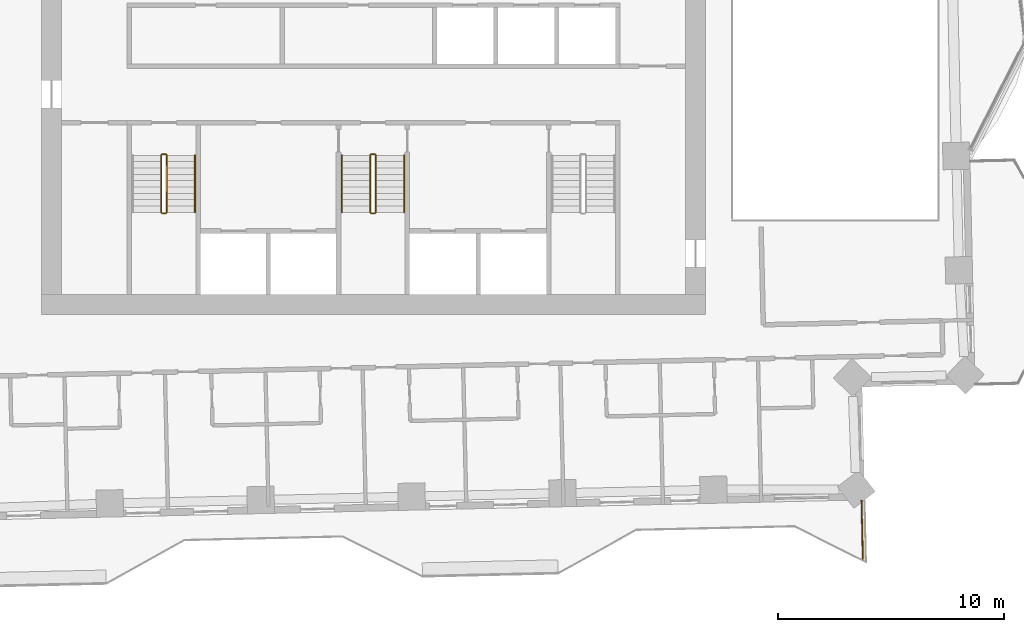
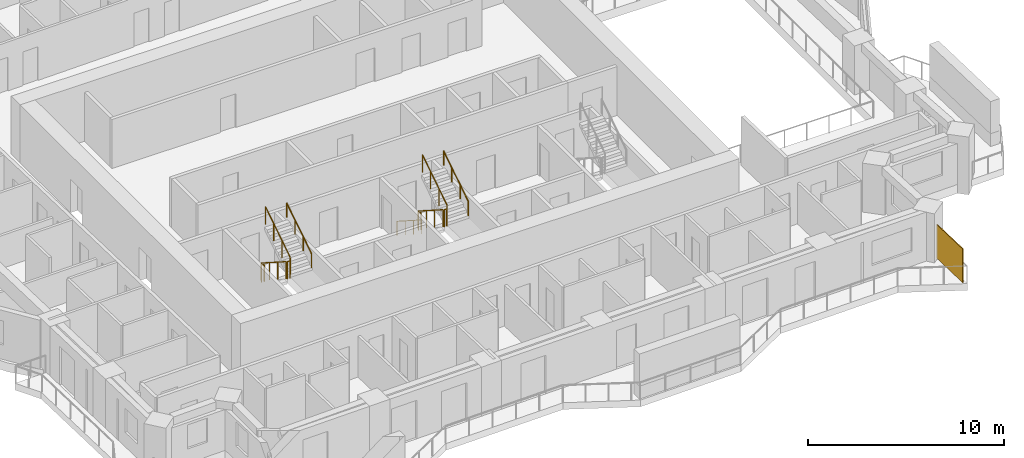
# One storey, part 14 of 16: 11 railings, 1 shading device.
"""IFC4 building model written with IfcOpenShell, lengths in metres."""

import ifcopenshell
import ifcopenshell.guid

model = None  # the IFC model being written
_history = None  # IfcOwnerHistory: only IFC2X3 demands one
_inside = {}  # id of a spatial element -> (the spatial element, [elements in it])
_under = {}  # id of a project, library or spatial element -> (it, [spatial elements below it])
_declared = {}  # id of a project -> (the project, [libraries it declares])
_typed = {}  # id of a type object -> (the type object, [elements of that type])
_made_of = {}  # id of a material, layer set ... -> (it, [elements and type objects made of it])


def new_model(schema):
    """Start an empty IFC model of exactly this schema.

    Asked for "IFC4X3", IfcOpenShell would pick the latest addendum, in which some entities
    have other attributes; the version numbers below select the first issue.
    IFC2X3 requires an IfcOwnerHistory on every rooted entity: one is made here for all.
    """
    global model, _history
    if schema == "IFC4X3":
        model = ifcopenshell.file(schema_version=(4, 3, 0, 0))
    else:
        model = ifcopenshell.file(schema=schema)
    _inside.clear()
    _under.clear()
    _declared.clear()
    _typed.clear()
    _made_of.clear()
    _history = None
    if model.schema == "IFC2X3":
        org = make("IfcOrganization", Name="unknown")
        user = make(
            "IfcPersonAndOrganization",
            ThePerson=make("IfcPerson", FamilyName="unknown"),
            TheOrganization=org,
        )
        app = make(
            "IfcApplication",
            ApplicationDeveloper=org,
            Version="unknown",
            ApplicationFullName="unknown",
            ApplicationIdentifier="unknown",
        )
        _history = make(
            "IfcOwnerHistory",
            OwningUser=user,
            OwningApplication=app,
            ChangeAction="ADDED",
            CreationDate=0,
        )
    return model


def make(cls, **values):
    """One entity of the class cls with the attributes given. An attribute that is None is left unset."""
    return model.create_entity(
        cls, **{name: value for name, value in values.items() if value is not None}
    )


def rooted(cls, **values):
    """An entity with a GlobalId (a new one), such as an element, a storey or a relation."""
    return make(cls, GlobalId=ifcopenshell.guid.new(), OwnerHistory=_history, **values)


def si_unit(unit_type, name, prefix=None):
    """IfcSIUnit, for example si_unit("LENGTHUNIT", "METRE", prefix="MILLI")."""
    return make("IfcSIUnit", UnitType=unit_type, Prefix=prefix, Name=name)


def assignment(units):
    """IfcUnitAssignment: the units of a project."""
    return None if units is None else make("IfcUnitAssignment", Units=units)


def point(xyz):
    """IfcCartesianPoint."""
    return None if xyz is None else make("IfcCartesianPoint", Coordinates=xyz)


def direction(xyz):
    """IfcDirection."""
    return None if xyz is None else make("IfcDirection", DirectionRatios=xyz)


def frame(location, z_axis=None, x_axis=None):
    """IfcAxis2Placement3D, a coordinate frame: its origin and axes. An axis left out is left unset."""
    return make(
        "IfcAxis2Placement3D",
        Location=point(location),
        Axis=direction(z_axis),
        RefDirection=direction(x_axis),
    )


def frame_2d(location, x_axis=None):
    """IfcAxis2Placement2D, a coordinate frame in the plane: its origin and x axis."""
    return make(
        "IfcAxis2Placement2D", Location=point(location), RefDirection=direction(x_axis)
    )


def origin():
    """The frame at (0, 0, 0) with its axes left unset."""
    return frame((0.0, 0.0, 0.0))


def origin_2d():
    """The frame at (0, 0) in the plane with its x axis left unset."""
    return frame_2d((0.0, 0.0))


def place(relative_to, where):
    """IfcLocalPlacement: puts the frame where relative to a parent placement (None: the world)."""
    return make(
        "IfcLocalPlacement", PlacementRelTo=relative_to, RelativePlacement=where
    )


def context(
    kind, dimensions, precision=None, world=None, true_north=None, identifier=None
):
    """IfcGeometricRepresentationContext, for example the 3D "Model" context."""
    return make(
        "IfcGeometricRepresentationContext",
        ContextIdentifier=identifier,
        ContextType=kind,
        CoordinateSpaceDimension=dimensions,
        Precision=precision,
        WorldCoordinateSystem=world,
        TrueNorth=true_north,
    )


def subcontext(parent, identifier, kind, view, scale=None):
    """IfcGeometricRepresentationSubContext, for example "Body" below "Model"."""
    return make(
        "IfcGeometricRepresentationSubContext",
        ContextIdentifier=identifier,
        ContextType=kind,
        ParentContext=parent,
        TargetScale=scale,
        TargetView=view,
    )


def project(units=None, contexts=None):
    """IfcProject with its units and contexts."""
    return rooted(
        "IfcProject",
        Name="project",
        RepresentationContexts=contexts,
        UnitsInContext=assignment(units),
    )


def spatial(cls, under=None, at=None, **own):
    """A site, building, storey or space (cls), placed at a placement, below another one or the project."""
    s = rooted(cls, ObjectPlacement=at, **own)
    if under is not None:
        _under.setdefault(under.id(), (under, []))[1].append(s)
    return s


def profile(cls, at=None, kind="AREA", **sizes):
    """A parametric profile (cls). Its sizes go by their IFC names, for example OverallWidth=200.0."""
    return make(cls, ProfileType=kind, Position=at, **sizes)


def rectangle(**sizes):
    """IfcRectangleProfileDef."""
    return profile("IfcRectangleProfileDef", **sizes)


def circle(**sizes):
    """IfcCircleProfileDef."""
    return profile("IfcCircleProfileDef", **sizes)


def extrude(swept, where, along, depth):
    """IfcExtrudedAreaSolid: the profile swept, set in the frame where, extruded along a direction by depth."""
    return make(
        "IfcExtrudedAreaSolid",
        SweptArea=swept,
        Position=where,
        ExtrudedDirection=direction(along),
        Depth=depth,
    )


def shape(context_of_items, identifier, shape_type, items):
    """IfcShapeRepresentation: the items that make up one representation, for example the "Body"."""
    return make(
        "IfcShapeRepresentation",
        ContextOfItems=context_of_items,
        RepresentationIdentifier=identifier,
        RepresentationType=shape_type,
        Items=items,
    )


def material(Name=None, Category=None):
    """IfcMaterial."""
    return make("IfcMaterial", Name=Name, Category=Category)


def made_of(thing, what):
    """Note that an element or type object is made of a material, layer set ...; save() writes the relation."""
    if what is not None:
        _made_of.setdefault(what.id(), (what, []))[1].append(thing)
    return thing


def type_object(cls, material=None, **own):
    """A type object (cls), such as IfcWallType, which elements share."""
    return made_of(rooted(cls, **own), material)


def element(
    cls,
    number,
    at=None,
    inside=None,
    cuts=None,
    type_object=None,
    material=None,
    context=None,
    identifier="Body",
    shape_type=None,
    held_by="IfcProductDefinitionShape",
    body=None,
    shapes=None,
    **own,
):
    """One element of the class cls, such as IfcWall. Its Tag is "e" and its number.

    at: its placement. inside: the storey or other place that contains it. cuts: it is an
    opening in that element (IfcRelVoidsElement). A single representation is given by context,
    identifier, shape_type and body (its items); several are given by shapes. held_by: the class
    of the entity that holds the representations. save() writes the other relations.
    """
    e = rooted(cls, Tag="e%d" % number, ObjectPlacement=at, **own)
    if body is not None:
        shapes = [shape(context, identifier, shape_type, body)]
    if shapes is not None:
        e.Representation = make(held_by, Representations=shapes)
    if inside is not None:
        _inside.setdefault(inside.id(), (inside, []))[1].append(e)
    if cuts is not None:
        rooted(
            "IfcRelVoidsElement", RelatingBuildingElement=cuts, RelatedOpeningElement=e
        )
    if type_object is not None:
        _typed.setdefault(type_object.id(), (type_object, []))[1].append(e)
    return made_of(e, material)


def aggregate(whole, parts):
    """IfcRelAggregates: a whole, such as a stair, and the parts it consists of."""
    return rooted("IfcRelAggregates", RelatingObject=whole, RelatedObjects=parts)


def save(model, path):
    """Write the relations noted so far, then the file.

    IfcRelAggregates (storeys below a building ...), IfcRelContainedInSpatialStructure (elements
    in a storey), IfcRelDefinesByType, IfcRelAssociatesMaterial and IfcRelDeclares: one each for
    every whole, place, type object, material and project.
    """
    for whole, parts in _under.values():
        aggregate(whole, parts)
    for where, things in _inside.values():
        rooted(
            "IfcRelContainedInSpatialStructure",
            RelatedElements=things,
            RelatingStructure=where,
        )
    for kind, things in _typed.values():
        rooted("IfcRelDefinesByType", RelatedObjects=things, RelatingType=kind)
    for what, things in _made_of.values():
        rooted("IfcRelAssociatesMaterial", RelatedObjects=things, RelatingMaterial=what)
    for by, libraries in _declared.values():
        rooted("IfcRelDeclares", RelatingContext=by, RelatedDefinitions=libraries)
    model.write(path)


model = new_model("IFC4")

# Units and contexts
model_context = context("Model", 3, precision=1e-05, world=origin(), true_north=direction((0.0, 1.0)))
body_context = subcontext(model_context, "Body", "Model", "MODEL_VIEW")
ifc_project = project(units=[si_unit("LENGTHUNIT", "METRE"), si_unit("AREAUNIT", "SQUARE_METRE"), si_unit("VOLUMEUNIT", "CUBIC_METRE"), si_unit("PLANEANGLEUNIT", "RADIAN"), si_unit("MASSUNIT", "GRAM", prefix="KILO")], contexts=[model_context])

# Site, building, storey
site_placement = place(None, origin())
site = spatial("IfcSite", under=ifc_project, at=site_placement, CompositionType="ELEMENT")
building_placement = place(site_placement, origin())
building = spatial("IfcBuilding", under=site, at=building_placement, Name="Mangrove Gate Tower", CompositionType="ELEMENT")
storey_placement = place(building_placement, frame((0.0, 0.0, 189.699951171875)))
storey = spatial("IfcBuildingStorey", under=building, at=storey_placement, Name="L48", CompositionType="ELEMENT", Elevation=189.699951171875)

# Shading device
ifc_material_1 = material(Name="Timber slat screen in teak", Category="wood")
shading_device_type = type_object("IfcShadingDeviceType", Name="Balcony screen 2100", PredefinedType="USERDEFINED", material=ifc_material_1)
shading_device_placement = place(storey_placement, frame((21.6240234375, -21.221923828125, 0.0), z_axis=(0.0, 0.0, 1.0), x_axis=(0.022861821228, -0.999738634409, 0.0)))
element("IfcShadingDevice", 1, at=shading_device_placement, inside=storey, type_object=shading_device_type, Name="SCREEN L48 S1", ObjectType="SCREEN", PredefinedType="USERDEFINED", context=body_context, shape_type="SweptSolid", body=[
    extrude(rectangle(XDim=2.60009765625, YDim=0.050048828125, at=origin_2d()), origin(), (0.0, 0.0, 1.0), 2.10009765625),
])

# Railings
ifc_material_2 = material(Name="Stainless steel 316", Category="steel")
railing_type_1 = type_object("IfcRailingType", Name="Core stair guard 1100", PredefinedType="GUARDRAIL", material=ifc_material_2)
railing_1_placement = place(storey_placement, frame((-9.39990234375, -4.64990234375, 0.179931640625)))
element("IfcRailing", 2, at=railing_1_placement, inside=storey, type_object=railing_type_1, Name="L48 ST1 stair guard 1", PredefinedType="GUARDRAIL", context=body_context, shape_type="SweptSolid", body=[
    extrude(rectangle(XDim=0.048095703125, YDim=0.048095703125, at=origin_2d()), frame((0.0, 0.0, 1.076171875), z_axis=(0.0, -0.841162588446, 0.540782303519), x_axis=(1.0, 0.0, 0.0)), (0.0, 0.0, 1.0), 2.995849609375),
    extrude(rectangle(XDim=0.0419921875, YDim=0.0419921875, at=origin_2d()), origin(), (0.0, 0.0, 1.0), 1.052001953125),
    extrude(rectangle(XDim=0.0419921875, YDim=0.0419921875, at=origin_2d()), frame((0.0, -0.840087890625, 0.5400390625)), (0.0, 0.0, 1.0), 1.052001953125),
    extrude(rectangle(XDim=0.0419921875, YDim=0.0419921875, at=origin_2d()), frame((0.0, -1.679931640625, 1.080078125)), (0.0, 0.0, 1.0), 1.052001953125),
    extrude(rectangle(XDim=0.0419921875, YDim=0.0419921875, at=origin_2d()), frame((0.0, -2.52001953125, 1.6201171875)), (0.0, 0.0, 1.0), 1.052001953125),
])
railing_2_placement = place(storey_placement, frame((-9.35009765625, -7.219970703125, 1.800048828125)))
element("IfcRailing", 3, at=railing_2_placement, inside=storey, type_object=railing_type_1, Name="L48 ST1 stair guard 2", PredefinedType="GUARDRAIL", context=body_context, shape_type="SweptSolid", body=[
    extrude(rectangle(XDim=0.048095703125, YDim=0.048095703125, at=origin_2d()), frame((0.0, 0.0, 1.076171875), z_axis=(1.0, 0.0, 0.0), x_axis=(0.0, 1.0, 0.0)), (0.0, 0.0, 1.0), 0.150146484375),
    extrude(rectangle(XDim=0.0419921875, YDim=0.0419921875, at=origin_2d()), origin(), (0.0, 0.0, 1.0), 1.052001953125),
    extrude(rectangle(XDim=0.0419921875, YDim=0.0419921875, at=origin_2d()), frame((0.150146484375, 0.0, 0.0)), (0.0, 0.0, 1.0), 1.052001953125),
])
railing_3_placement = place(storey_placement, frame((-9.14990234375, -7.169921875, 1.97998046875)))
element("IfcRailing", 4, at=railing_3_placement, inside=storey, type_object=railing_type_1, Name="L48 ST1 stair guard 3", PredefinedType="GUARDRAIL", context=body_context, shape_type="SweptSolid", body=[
    extrude(rectangle(XDim=0.048095703125, YDim=0.048095703125, at=origin_2d()), frame((0.0, 0.0, 1.076171875), z_axis=(0.0, 0.841162588446, 0.540782303519), x_axis=(-1.0, 0.0, 0.0)), (0.0, 0.0, 1.0), 2.995849609375),
    extrude(rectangle(XDim=0.0419921875, YDim=0.0419921875, at=origin_2d()), origin(), (0.0, 0.0, 1.0), 1.052001953125),
    extrude(rectangle(XDim=0.0419921875, YDim=0.0419921875, at=origin_2d()), frame((0.0, 0.840087890625, 0.5400390625)), (0.0, 0.0, 1.0), 1.052001953125),
    extrude(rectangle(XDim=0.0419921875, YDim=0.0419921875, at=origin_2d()), frame((0.0, 1.679931640625, 1.080078125)), (0.0, 0.0, 1.0), 1.052001953125),
    extrude(rectangle(XDim=0.0419921875, YDim=0.0419921875, at=origin_2d()), frame((0.0, 2.52001953125, 1.6201171875)), (0.0, 0.0, 1.0), 1.052001953125),
])
railing_4_placement = place(storey_placement, frame((-9.35009765625, -4.60009765625, 0.0)))
element("IfcRailing", 5, at=railing_4_placement, inside=storey, type_object=railing_type_1, Name="L48 ST1 stair guard 4", PredefinedType="GUARDRAIL", context=body_context, shape_type="SweptSolid", body=[
    extrude(rectangle(XDim=0.048095703125, YDim=0.048095703125, at=origin_2d()), frame((0.0, 0.0, 1.076171875), z_axis=(1.0, 0.0, 0.0), x_axis=(0.0, 1.0, 0.0)), (0.0, 0.0, 1.0), 0.150146484375),
    extrude(rectangle(XDim=0.0419921875, YDim=0.0419921875, at=origin_2d()), origin(), (0.0, 0.0, 1.0), 1.052001953125),
    extrude(rectangle(XDim=0.0419921875, YDim=0.0419921875, at=origin_2d()), frame((0.150146484375, 0.0, 0.0)), (0.0, 0.0, 1.0), 1.052001953125),
])
railing_5_placement = place(storey_placement, frame((-0.14990234375, -4.64990234375, 0.179931640625)))
element("IfcRailing", 6, at=railing_5_placement, inside=storey, type_object=railing_type_1, Name="L48 ST2 stair guard 1", PredefinedType="GUARDRAIL", context=body_context, shape_type="SweptSolid", body=[
    extrude(rectangle(XDim=0.048095703125, YDim=0.048095703125, at=origin_2d()), frame((0.0, 0.0, 1.076171875), z_axis=(0.0, -0.841162588446, 0.540782303519), x_axis=(1.0, 0.0, 0.0)), (0.0, 0.0, 1.0), 2.995849609375),
    extrude(rectangle(XDim=0.0419921875, YDim=0.0419921875, at=origin_2d()), origin(), (0.0, 0.0, 1.0), 1.052001953125),
    extrude(rectangle(XDim=0.0419921875, YDim=0.0419921875, at=origin_2d()), frame((0.0, -0.840087890625, 0.5400390625)), (0.0, 0.0, 1.0), 1.052001953125),
    extrude(rectangle(XDim=0.0419921875, YDim=0.0419921875, at=origin_2d()), frame((0.0, -1.679931640625, 1.080078125)), (0.0, 0.0, 1.0), 1.052001953125),
    extrude(rectangle(XDim=0.0419921875, YDim=0.0419921875, at=origin_2d()), frame((0.0, -2.52001953125, 1.6201171875)), (0.0, 0.0, 1.0), 1.052001953125),
])
railing_6_placement = place(storey_placement, frame((-0.10009765625, -7.219970703125, 1.800048828125)))
element("IfcRailing", 7, at=railing_6_placement, inside=storey, type_object=railing_type_1, Name="L48 ST2 stair guard 2", PredefinedType="GUARDRAIL", context=body_context, shape_type="SweptSolid", body=[
    extrude(rectangle(XDim=0.048095703125, YDim=0.048095703125, at=origin_2d()), frame((0.0, 0.0, 1.076171875), z_axis=(1.0, 0.0, 0.0), x_axis=(0.0, 1.0, 0.0)), (0.0, 0.0, 1.0), 0.150146484375),
    extrude(rectangle(XDim=0.0419921875, YDim=0.0419921875, at=origin_2d()), origin(), (0.0, 0.0, 1.0), 1.052001953125),
    extrude(rectangle(XDim=0.0419921875, YDim=0.0419921875, at=origin_2d()), frame((0.150146484375, 0.0, 0.0)), (0.0, 0.0, 1.0), 1.052001953125),
])
railing_7_placement = place(storey_placement, frame((0.10009765625, -7.169921875, 1.97998046875)))
element("IfcRailing", 8, at=railing_7_placement, inside=storey, type_object=railing_type_1, Name="L48 ST2 stair guard 3", PredefinedType="GUARDRAIL", context=body_context, shape_type="SweptSolid", body=[
    extrude(rectangle(XDim=0.048095703125, YDim=0.048095703125, at=origin_2d()), frame((0.0, 0.0, 1.076171875), z_axis=(0.0, 0.841162588446, 0.540782303519), x_axis=(-1.0, 0.0, 0.0)), (0.0, 0.0, 1.0), 2.995849609375),
    extrude(rectangle(XDim=0.0419921875, YDim=0.0419921875, at=origin_2d()), origin(), (0.0, 0.0, 1.0), 1.052001953125),
    extrude(rectangle(XDim=0.0419921875, YDim=0.0419921875, at=origin_2d()), frame((0.0, 0.840087890625, 0.5400390625)), (0.0, 0.0, 1.0), 1.052001953125),
    extrude(rectangle(XDim=0.0419921875, YDim=0.0419921875, at=origin_2d()), frame((0.0, 1.679931640625, 1.080078125)), (0.0, 0.0, 1.0), 1.052001953125),
    extrude(rectangle(XDim=0.0419921875, YDim=0.0419921875, at=origin_2d()), frame((0.0, 2.52001953125, 1.6201171875)), (0.0, 0.0, 1.0), 1.052001953125),
])
railing_8_placement = place(storey_placement, frame((-0.10009765625, -4.60009765625, 0.0)))
element("IfcRailing", 9, at=railing_8_placement, inside=storey, type_object=railing_type_1, Name="L48 ST2 stair guard 4", PredefinedType="GUARDRAIL", context=body_context, shape_type="SweptSolid", body=[
    extrude(rectangle(XDim=0.048095703125, YDim=0.048095703125, at=origin_2d()), frame((0.0, 0.0, 1.076171875), z_axis=(1.0, 0.0, 0.0), x_axis=(0.0, 1.0, 0.0)), (0.0, 0.0, 1.0), 0.150146484375),
    extrude(rectangle(XDim=0.0419921875, YDim=0.0419921875, at=origin_2d()), origin(), (0.0, 0.0, 1.0), 1.052001953125),
    extrude(rectangle(XDim=0.0419921875, YDim=0.0419921875, at=origin_2d()), frame((0.150146484375, 0.0, 0.0)), (0.0, 0.0, 1.0), 1.052001953125),
])
ifc_material_3 = material(Name="Stainless steel 316", Category="steel")
railing_type_2 = type_object("IfcRailingType", Name="Core stair handrail 900", PredefinedType="HANDRAIL", material=ifc_material_3)
railing_9_placement = place(storey_placement, frame((-7.89990234375, -7.169921875, 1.97998046875)))
element("IfcRailing", 10, at=railing_9_placement, inside=storey, type_object=railing_type_2, Name="L48 ST1 stair handrail 2", PredefinedType="HANDRAIL", context=body_context, shape_type="SweptSolid", body=[
    extrude(circle(Radius=0.02392578125, at=origin_2d()), frame((0.0, 0.0, 0.8759765625), z_axis=(0.0, 0.841162588446, 0.540782303519), x_axis=(-1.0, 0.0, 0.0)), (0.0, 0.0, 1.0), 2.995849609375),
    extrude(circle(Radius=0.02099609375, at=origin_2d()), origin(), (0.0, 0.0, 1.0), 0.851806640625),
    extrude(circle(Radius=0.02099609375, at=origin_2d()), frame((0.0, 0.840087890625, 0.5400390625)), (0.0, 0.0, 1.0), 0.851806640625),
    extrude(circle(Radius=0.02099609375, at=origin_2d()), frame((0.0, 1.679931640625, 1.080078125)), (0.0, 0.0, 1.0), 0.851806640625),
    extrude(circle(Radius=0.02099609375, at=origin_2d()), frame((0.0, 2.52001953125, 1.6201171875)), (0.0, 0.0, 1.0), 0.851806640625),
])
railing_10_placement = place(storey_placement, frame((-1.39990234375, -4.64990234375, 0.179931640625)))
element("IfcRailing", 11, at=railing_10_placement, inside=storey, type_object=railing_type_2, Name="L48 ST2 stair handrail 1", PredefinedType="HANDRAIL", context=body_context, shape_type="SweptSolid", body=[
    extrude(circle(Radius=0.02392578125, at=origin_2d()), frame((0.0, 0.0, 0.8759765625), z_axis=(0.0, -0.841162588446, 0.540782303519), x_axis=(1.0, 0.0, 0.0)), (0.0, 0.0, 1.0), 2.995849609375),
    extrude(circle(Radius=0.02099609375, at=origin_2d()), origin(), (0.0, 0.0, 1.0), 0.851806640625),
    extrude(circle(Radius=0.02099609375, at=origin_2d()), frame((0.0, -0.840087890625, 0.5400390625)), (0.0, 0.0, 1.0), 0.851806640625),
    extrude(circle(Radius=0.02099609375, at=origin_2d()), frame((0.0, -1.679931640625, 1.080078125)), (0.0, 0.0, 1.0), 0.851806640625),
    extrude(circle(Radius=0.02099609375, at=origin_2d()), frame((0.0, -2.52001953125, 1.6201171875)), (0.0, 0.0, 1.0), 0.851806640625),
])
railing_11_placement = place(storey_placement, frame((1.35009765625, -7.169921875, 1.97998046875)))
element("IfcRailing", 12, at=railing_11_placement, inside=storey, type_object=railing_type_2, Name="L48 ST2 stair handrail 2", PredefinedType="HANDRAIL", context=body_context, shape_type="SweptSolid", body=[
    extrude(circle(Radius=0.02392578125, at=origin_2d()), frame((0.0, 0.0, 0.8759765625), z_axis=(0.0, 0.841162588446, 0.540782303519), x_axis=(-1.0, 0.0, 0.0)), (0.0, 0.0, 1.0), 2.995849609375),
    extrude(circle(Radius=0.02099609375, at=origin_2d()), origin(), (0.0, 0.0, 1.0), 0.851806640625),
    extrude(circle(Radius=0.02099609375, at=origin_2d()), frame((0.0, 0.840087890625, 0.5400390625)), (0.0, 0.0, 1.0), 0.851806640625),
    extrude(circle(Radius=0.02099609375, at=origin_2d()), frame((0.0, 1.679931640625, 1.080078125)), (0.0, 0.0, 1.0), 0.851806640625),
    extrude(circle(Radius=0.02099609375, at=origin_2d()), frame((0.0, 2.52001953125, 1.6201171875)), (0.0, 0.0, 1.0), 0.851806640625),
])

save(model, "model.ifc")
